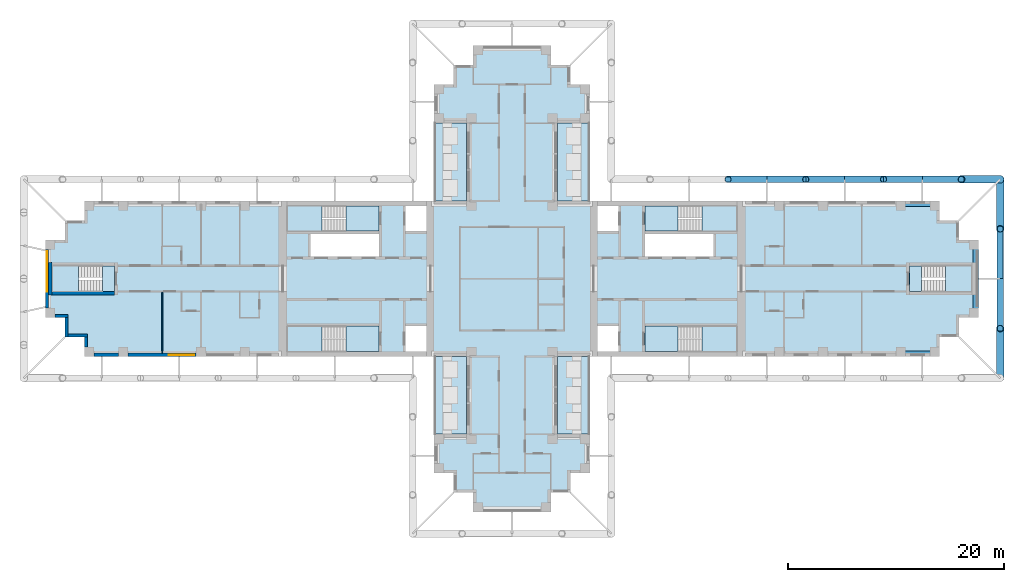
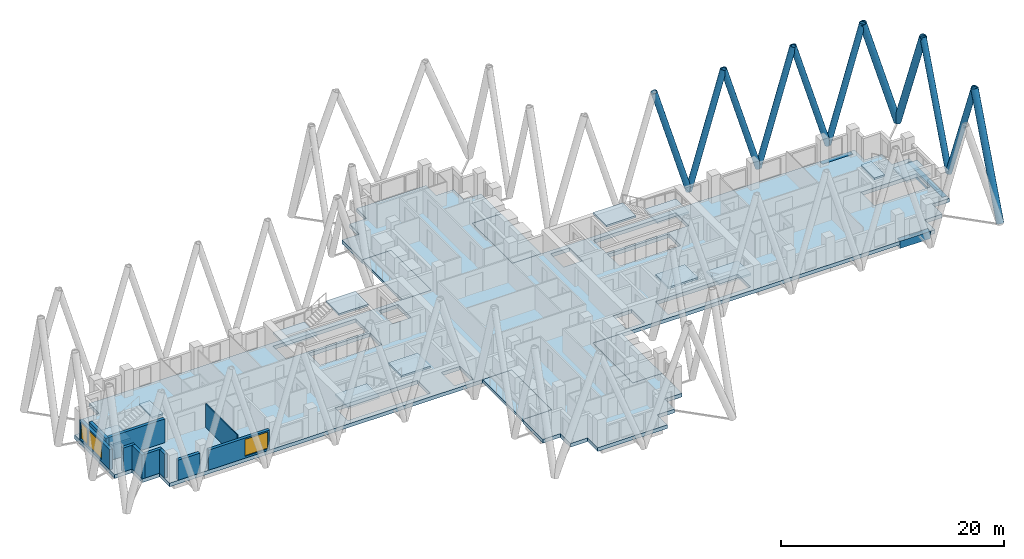
# One storey, part 2 of 12: 17 slabs, 11 members, 10 walls, 3 beams, 3 windows, 3 openings, 6 elements without a shape of their own.
"""IFC4 building model written with IfcOpenShell, lengths in metres."""

from ifc_helpers import new_model, si_unit, direction, frame, frame_2d, origin, origin_2d, place, context, subcontext, project, spatial, polyline, rectangle, hollow_circle, outline, extrude, material, layer, layer_set, material_profile, profile_set, type_object, element, fill, aggregate, save


model = new_model("IFC4")

# Units and contexts
model_context = context("Model", 3, precision=1e-05, world=origin(), true_north=direction((0.0, 1.0)))
body_context = subcontext(model_context, "Body", "Model", "MODEL_VIEW")
ifc_project = project(units=[si_unit("LENGTHUNIT", "METRE"), si_unit("AREAUNIT", "SQUARE_METRE"), si_unit("VOLUMEUNIT", "CUBIC_METRE"), si_unit("PLANEANGLEUNIT", "RADIAN"), si_unit("MASSUNIT", "GRAM", prefix="KILO")], contexts=[model_context])

# Site, building, storey
site_placement = place(None, origin())
site = spatial("IfcSite", under=ifc_project, at=site_placement, CompositionType="ELEMENT")
building_placement = place(site_placement, origin())
building = spatial("IfcBuilding", under=site, at=building_placement, Name="Fustian Cross Tower", CompositionType="ELEMENT")
storey_placement = place(building_placement, frame((0.0, 0.0, 129.300048828125)))
storey = spatial("IfcBuildingStorey", under=building, at=storey_placement, Name="L40", CompositionType="ELEMENT", Elevation=129.300048828125)

# Members
ifc_material_1 = material(Name="Steel S355", Category="steel")
ifc_material_profile_1 = material_profile(ifc_material_1, hollow_circle(Radius=0.3046875, WallThickness=0.02490234375, at=origin_2d()), Name="CHS 610x25")
ifc_profile_set_1 = profile_set([ifc_material_profile_1], Name="Steel S355")
member_type_1 = type_object("IfcMemberType", Name="DIAGRID DIAGONAL CHS 610x25", PredefinedType="BRACE", material=ifc_profile_set_1)
for number, where, z_axis, x_axis, name in (
    (1, (45.199951171875, 0.0, 0.0), (0.0, -0.3579426369, 0.933743577589), (1.0, 0.0, 0.0), "Diagrid diagonal E-end 02"),
    (2, (45.199951171875, 0.0, 0.0), (0.0, 0.3579426369, 0.933743577589), (-1.0, 0.0, 0.0), "Diagrid diagonal E-end 03"),
):
    element("IfcMember", number, at=place(storey_placement, frame(where, z_axis=z_axis, x_axis=x_axis)), inside=storey, type_object=member_type_1, Name=name, PredefinedType="BRACE", context=body_context, shape_type="SweptSolid", body=[
        extrude(hollow_circle(Radius=0.3046875, WallThickness=0.02490234375, at=origin_2d()), origin(), (0.0, 0.0, 1.0), 12.8515625),
    ])
for number, where, z_axis, x_axis, name in (
    (3, (38.0, 9.199951171875, 0.0), (0.287355036744, 0.0, 0.957824139839), (0.0, 1.0, 0.0), "Diagrid diagonal E-N 02"),
    (4, (38.0, 9.199951171875, 0.0), (-0.287355036744, 0.0, 0.957824139839), (0.0, -1.0, 0.0), "Diagrid diagonal E-N 03"),
    (5, (30.800048828125, 9.199951171875, 0.0), (0.287337158709, 0.0, 0.957829503213), (0.0, 1.0, 0.0), "Diagrid diagonal E-N 04"),
    (6, (30.800048828125, 9.199951171875, 0.0), (-0.287355036744, 0.0, 0.957824139839), (0.0, -1.0, 0.0), "Diagrid diagonal E-N 05"),
    (7, (23.60009765625, 9.199951171875, 0.0), (0.287337158709, 0.0, 0.957829503213), (0.0, 1.0, 0.0), "Diagrid diagonal E-N 06"),
    (8, (23.60009765625, 9.199951171875, 0.0), (-0.287355036744, 0.0, 0.957824139839), (0.0, -1.0, 0.0), "Diagrid diagonal E-N 07"),
):
    element("IfcMember", number, at=place(storey_placement, frame(where, z_axis=z_axis, x_axis=x_axis)), inside=storey, type_object=member_type_1, Name=name, PredefinedType="BRACE", context=body_context, shape_type="SweptSolid", body=[
        extrude(hollow_circle(Radius=0.3046875, WallThickness=0.02490234375, at=origin_2d()), origin(), (0.0, 0.0, 1.0), 12.5283203125),
    ])
ifc_material_2 = material(Name="Steel S355", Category="steel")
ifc_material_profile_2 = material_profile(ifc_material_2, hollow_circle(Radius=0.355712890625, WallThickness=0.031982421875, at=origin_2d()), Name="CHS 711x32")
ifc_profile_set_2 = profile_set([ifc_material_profile_2], Name="Steel S355")
member_type_2 = type_object("IfcMemberType", Name="DIAGRID DIAGONAL CHS 711x32", PredefinedType="BRACE", material=ifc_profile_set_2)
for number, where, z_axis, x_axis, name in (
    (9, (45.199951171875, -9.199951171875, 0.0), (0.0, 0.357926073629, 0.933749926809), (-1.0, 0.0, 0.0), "Diagrid diagonal E-end 01"),
    (10, (45.199951171875, 9.199951171875, 0.0), (0.0, -0.357926073629, 0.933749926809), (1.0, 0.0, 0.0), "Diagrid diagonal E-end 04"),
):
    element("IfcMember", number, at=place(storey_placement, frame(where, z_axis=z_axis, x_axis=x_axis)), inside=storey, type_object=member_type_2, Name=name, PredefinedType="BRACE", context=body_context, shape_type="SweptSolid", body=[
        extrude(hollow_circle(Radius=0.355712890625, WallThickness=0.031982421875, at=origin_2d()), origin(), (0.0, 0.0, 1.0), 12.851318359375),
    ])
member_placement = place(storey_placement, frame((45.199951171875, 9.199951171875, 0.0), z_axis=(-0.287337158709, 0.0, 0.957829503213), x_axis=(0.0, -1.0, 0.0)))
element("IfcMember", 11, at=member_placement, inside=storey, type_object=member_type_2, Name="Diagrid diagonal E-N 01", PredefinedType="BRACE", context=body_context, shape_type="SweptSolid", body=[
    extrude(hollow_circle(Radius=0.355712890625, WallThickness=0.031982421875, at=origin_2d()), origin(), (0.0, 0.0, 1.0), 12.5283203125),
])

# Beams
ifc_material_3 = material(Name="Concrete C50/60", Category="concrete")
ifc_material_profile_3 = material_profile(ifc_material_3, rectangle(XDim=0.5, YDim=0.800048828125, at=origin_2d()), Name="RC 500x800")
ifc_profile_set_3 = profile_set([ifc_material_profile_3], Name="Concrete C50/60")
beam_type = type_object("IfcBeamType", Name="EDGE BEAM RC 500x800 C50/60", PredefinedType="SPANDREL", material=ifc_profile_set_3)
beam_1_placement = place(storey_placement, frame((36.0, -6.949951171875, -0.400146484375), z_axis=(1.0, 0.0, 0.0), x_axis=(0.0, 1.0, 0.0)))
element("IfcBeam", 12, at=beam_1_placement, inside=storey, type_object=beam_type, Name="EDGE BEAM L40-04", PredefinedType="SPANDREL", context=body_context, shape_type="SweptSolid", body=[
    extrude(rectangle(XDim=0.5, YDim=0.800048828125, at=origin_2d()), origin(), (0.0, 0.0, 1.0), 3.14990234375),
])
beam_2_placement = place(storey_placement, frame((42.949951171875, -3.14990234375, -0.400146484375), z_axis=(0.0, 1.0, 0.0), x_axis=(-1.0, 0.0, 0.0)))
element("IfcBeam", 13, at=beam_2_placement, inside=storey, type_object=beam_type, Name="EDGE BEAM L40-05", PredefinedType="SPANDREL", context=body_context, shape_type="SweptSolid", body=[
    extrude(rectangle(XDim=0.5, YDim=0.800048828125, at=origin_2d()), origin(), (0.0, 0.0, 1.0), 6.2998046875),
])
beam_3_placement = place(storey_placement, frame((39.14990234375, 6.949951171875, -0.400146484375), z_axis=(-1.0, 0.0, 0.0), x_axis=(0.0, -1.0, 0.0)))
element("IfcBeam", 14, at=beam_3_placement, inside=storey, type_object=beam_type, Name="EDGE BEAM L40-06", PredefinedType="SPANDREL", context=body_context, shape_type="SweptSolid", body=[
    extrude(rectangle(XDim=0.5, YDim=0.800048828125, at=origin_2d()), origin(), (0.0, 0.0, 1.0), 3.14990234375),
])

# Slabs
ifc_material_4 = material(Name="Concrete C40/50", Category="concrete")
ifc_layer_1 = layer(ifc_material_4, 0.300048828125)
ifc_layer_set_1 = layer_set([ifc_layer_1], Name="Concrete C40/50")
slab_type_1 = type_object("IfcSlabType", Name="BS1 BALCONY SLAB 300", PredefinedType="FLOOR", material=ifc_layer_set_1)
slab_1_placement = place(storey_placement, frame((0.0, 0.0, -0.300048828125)))
element("IfcSlab", 15, at=slab_1_placement, inside=storey, type_object=slab_type_1, Name="Balcony slab", PredefinedType="FLOOR", context=body_context, shape_type="SweptSolid", body=[
    extrude(outline(polyline([(4.199951171875, 7.199951171875), (7.199951171875, 7.199951171875), (7.199951171875, 14.39990234375), (4.199951171875, 14.39990234375), (4.199951171875, 7.199951171875)])), origin(), (0.0, 0.0, 1.0), 0.300048828125),
])
slab_2_placement = place(storey_placement, frame((0.0, 0.0, -0.300048828125)))
element("IfcSlab", 16, at=slab_2_placement, inside=storey, type_object=slab_type_1, Name="Balcony slab", PredefinedType="FLOOR", context=body_context, shape_type="SweptSolid", body=[
    extrude(outline(polyline([(-7.199951171875, 7.199951171875), (-4.199951171875, 7.199951171875), (-4.199951171875, 14.39990234375), (-7.199951171875, 14.39990234375), (-7.199951171875, 7.199951171875)])), origin(), (0.0, 0.0, 1.0), 0.300048828125),
])
slab_3_placement = place(storey_placement, frame((0.0, 0.0, -0.300048828125)))
element("IfcSlab", 17, at=slab_3_placement, inside=storey, type_object=slab_type_1, Name="Balcony slab", PredefinedType="FLOOR", context=body_context, shape_type="SweptSolid", body=[
    extrude(outline(polyline([(4.199951171875, -14.39990234375), (7.199951171875, -14.39990234375), (7.199951171875, -7.199951171875), (4.199951171875, -7.199951171875), (4.199951171875, -14.39990234375)])), origin(), (0.0, 0.0, 1.0), 0.300048828125),
])
slab_4_placement = place(storey_placement, frame((0.0, 0.0, -0.300048828125)))
element("IfcSlab", 18, at=slab_4_placement, inside=storey, type_object=slab_type_1, Name="Balcony slab", PredefinedType="FLOOR", context=body_context, shape_type="SweptSolid", body=[
    extrude(outline(polyline([(-7.199951171875, -14.39990234375), (-4.199951171875, -14.39990234375), (-4.199951171875, -7.199951171875), (-7.199951171875, -7.199951171875), (-7.199951171875, -14.39990234375)])), origin(), (0.0, 0.0, 1.0), 0.300048828125),
])
ifc_material_5 = material(Name="Concrete C40/50", Category="concrete")
ifc_layer_2 = layer(ifc_material_5, 0.39990234375)
ifc_layer_set_2 = layer_set([ifc_layer_2], Name="Concrete C40/50")
slab_type_2 = type_object("IfcSlabType", Name="FLAT SLAB 400", PredefinedType="FLOOR", material=ifc_layer_set_2)
slab_5_placement = place(storey_placement, frame((0.0, 0.0, -0.400146484375)))
element("IfcSlab", 19, at=slab_5_placement, inside=storey, type_object=slab_type_2, Name="FLOOR SLAB L40-1", PredefinedType="FLOOR", context=body_context, shape_type="SweptSolid", body=[
    extrude(outline(polyline([(-5.39990234375, -18.0), (-7.199951171875, -18.0), (-7.199951171875, -14.39990234375), (-4.199951171875, -14.39990234375), (-4.199951171875, -7.199951171875), (-39.60009765625, -7.199951171875), (-39.60009765625, -5.39990234375), (-41.39990234375, -5.39990234375), (-41.39990234375, -3.60009765625), (-43.199951171875, -3.60009765625), (-43.199951171875, 3.60009765625), (-41.39990234375, 3.60009765625), (-41.39990234375, 5.39990234375), (-39.60009765625, 5.39990234375), (-39.60009765625, 7.199951171875), (-4.199951171875, 7.199951171875), (-4.199951171875, 14.39990234375), (-7.199951171875, 14.39990234375), (-7.199951171875, 18.0), (-5.39990234375, 18.0), (-5.39990234375, 19.800048828125), (-3.60009765625, 19.800048828125), (-3.60009765625, 21.60009765625), (3.60009765625, 21.60009765625), (3.60009765625, 19.800048828125), (5.39990234375, 19.800048828125), (5.39990234375, 18.0), (7.199951171875, 18.0), (7.199951171875, 14.39990234375), (4.199951171875, 14.39990234375), (4.199951171875, 7.199951171875), (39.60009765625, 7.199951171875), (39.60009765625, 5.39990234375), (41.39990234375, 5.39990234375), (41.39990234375, 3.60009765625), (43.199951171875, 3.60009765625), (43.199951171875, -3.60009765625), (41.39990234375, -3.60009765625), (41.39990234375, -5.39990234375), (39.60009765625, -5.39990234375), (39.60009765625, -7.199951171875), (4.199951171875, -7.199951171875), (4.199951171875, -14.39990234375), (7.199951171875, -14.39990234375), (7.199951171875, -18.0), (5.39990234375, -18.0), (5.39990234375, -19.800048828125), (3.60009765625, -19.800048828125), (3.60009765625, -21.60009765625), (-3.60009765625, -21.60009765625), (-3.60009765625, -19.800048828125), (-5.39990234375, -19.800048828125), (-5.39990234375, -18.0)]), holes=[polyline([(9.85009765625, 4.39990234375), (9.85009765625, 6.75), (7.89990234375, 6.75), (7.89990234375, 4.39990234375), (9.85009765625, 4.39990234375)]), polyline([(7.89990234375, -6.75), (9.85009765625, -6.75), (9.85009765625, -4.39990234375), (7.89990234375, -4.39990234375), (7.89990234375, -6.75)]), polyline([(-9.85009765625, 6.75), (-9.85009765625, 4.39990234375), (-7.89990234375, 4.39990234375), (-7.89990234375, 6.75), (-9.85009765625, 6.75)]), polyline([(-7.89990234375, -4.39990234375), (-9.85009765625, -4.39990234375), (-9.85009765625, -6.75), (-7.89990234375, -6.75), (-7.89990234375, -4.39990234375)]), polyline([(18.64990234375, 2.050048828125), (18.64990234375, 4.14990234375), (12.300048828125, 4.14990234375), (12.300048828125, 2.050048828125), (18.64990234375, 2.050048828125)]), polyline([(-18.64990234375, 2.050048828125), (-12.300048828125, 2.050048828125), (-12.300048828125, 4.14990234375), (-18.64990234375, 4.14990234375), (-18.64990234375, 2.050048828125)]), polyline([(12.300048828125, 6.699951171875), (12.300048828125, 4.39990234375), (20.85009765625, 4.39990234375), (20.85009765625, 6.699951171875), (12.300048828125, 6.699951171875)]), polyline([(20.85009765625, -4.39990234375), (12.300048828125, -4.39990234375), (12.300048828125, -6.699951171875), (20.85009765625, -6.699951171875), (20.85009765625, -4.39990234375)]), polyline([(-12.300048828125, 4.39990234375), (-12.300048828125, 6.699951171875), (-20.85009765625, 6.699951171875), (-20.85009765625, 4.39990234375), (-12.300048828125, 4.39990234375)]), polyline([(-20.85009765625, -6.699951171875), (-12.300048828125, -6.699951171875), (-12.300048828125, -4.39990234375), (-20.85009765625, -4.39990234375), (-20.85009765625, -6.699951171875)]), polyline([(36.800048828125, 1.199951171875), (36.800048828125, -1.199951171875), (42.60009765625, -1.199951171875), (42.60009765625, 1.199951171875), (36.800048828125, 1.199951171875)]), polyline([(-36.800048828125, 1.199951171875), (-42.60009765625, 1.199951171875), (-42.60009765625, -1.199951171875), (-36.800048828125, -1.199951171875), (-36.800048828125, 1.199951171875)])]), origin(), (0.0, 0.0, 1.0), 0.400146484375),
])

# Stair, slabs
ifc_material_6 = material(Name="Concrete C50/60", Category="concrete")
stair_type_1 = type_object("IfcStairType", Name="STAIR 1150 HALF TURN", PredefinedType="HALF_TURN_STAIR", material=ifc_material_6)
stair_1_placement = place(storey_placement, origin())
stair_1 = element("IfcStair", 20, at=stair_1_placement, inside=storey, type_object=stair_type_1, Name="Stair ST1", PredefinedType="HALF_TURN_STAIR")
ifc_material_7 = material(Name="Concrete C50/60", Category="concrete")
ifc_layer_3 = layer(ifc_material_7, 0.199951171875)
ifc_layer_set_3 = layer_set([ifc_layer_3], Name="Concrete C50/60")
slab_type_3 = type_object("IfcSlabType", Name="STAIR LANDING", PredefinedType="LANDING", material=ifc_layer_set_3)
slab_6_placement = place(storey_placement, frame((0.0, 0.0, 1.300048828125)))
slab_6 = element("IfcSlab", 21, at=slab_6_placement, type_object=slab_type_3, Name="ST1 landing 1", PredefinedType="LANDING", context=body_context, shape_type="SweptSolid", body=[
    extrude(outline(polyline([(17.590087890625, 4.39990234375), (20.85009765625, 4.39990234375), (20.85009765625, 6.75), (17.590087890625, 6.75), (17.590087890625, 4.39990234375)])), origin(), (0.0, 0.0, 1.0), 0.199951171875),
])
slab_7_placement = place(storey_placement, frame((0.0, 0.0, 2.800048828125)))
slab_7 = element("IfcSlab", 22, at=slab_7_placement, type_object=slab_type_3, Name="ST1 landing 2", PredefinedType="LANDING", context=body_context, shape_type="SweptSolid", body=[
    extrude(outline(polyline([(12.300048828125, 4.39990234375), (15.35009765625, 4.39990234375), (15.35009765625, 6.75), (12.300048828125, 6.75), (12.300048828125, 4.39990234375)])), origin(), (0.0, 0.0, 1.0), 0.199951171875),
])
aggregate(stair_1, [slab_6, slab_7])

stair_2_placement = place(storey_placement, origin())
stair_2 = element("IfcStair", 23, at=stair_2_placement, inside=storey, type_object=stair_type_1, Name="Stair ST2", PredefinedType="HALF_TURN_STAIR")
slab_8_placement = place(storey_placement, frame((0.0, 0.0, 1.300048828125)))
slab_8 = element("IfcSlab", 24, at=slab_8_placement, type_object=slab_type_3, Name="ST2 landing 1", PredefinedType="LANDING", context=body_context, shape_type="SweptSolid", body=[
    extrude(outline(polyline([(17.590087890625, -4.39990234375), (20.85009765625, -4.39990234375), (20.85009765625, -6.75), (17.590087890625, -6.75), (17.590087890625, -4.39990234375)])), origin(), (0.0, 0.0, 1.0), 0.199951171875),
])
slab_9_placement = place(storey_placement, frame((0.0, 0.0, 2.800048828125)))
slab_9 = element("IfcSlab", 25, at=slab_9_placement, type_object=slab_type_3, Name="ST2 landing 2", PredefinedType="LANDING", context=body_context, shape_type="SweptSolid", body=[
    extrude(outline(polyline([(12.300048828125, -4.39990234375), (15.35009765625, -4.39990234375), (15.35009765625, -6.75), (12.300048828125, -6.75), (12.300048828125, -4.39990234375)])), origin(), (0.0, 0.0, 1.0), 0.199951171875),
])
aggregate(stair_2, [slab_8, slab_9])

stair_3_placement = place(storey_placement, origin())
stair_3 = element("IfcStair", 26, at=stair_3_placement, inside=storey, type_object=stair_type_1, Name="Stair ST3", PredefinedType="HALF_TURN_STAIR")
slab_10_placement = place(storey_placement, frame((0.0, 0.0, 1.300048828125)))
slab_10 = element("IfcSlab", 27, at=slab_10_placement, type_object=slab_type_3, Name="ST3 landing 1", PredefinedType="LANDING", context=body_context, shape_type="SweptSolid", body=[
    extrude(outline(polyline([(-17.590087890625, 4.39990234375), (-20.85009765625, 4.39990234375), (-20.85009765625, 6.75), (-17.590087890625, 6.75), (-17.590087890625, 4.39990234375)])), origin(), (0.0, 0.0, 1.0), 0.199951171875),
])
slab_11_placement = place(storey_placement, frame((0.0, 0.0, 2.800048828125)))
slab_11 = element("IfcSlab", 28, at=slab_11_placement, type_object=slab_type_3, Name="ST3 landing 2", PredefinedType="LANDING", context=body_context, shape_type="SweptSolid", body=[
    extrude(outline(polyline([(-12.300048828125, 4.39990234375), (-15.35009765625, 4.39990234375), (-15.35009765625, 6.75), (-12.300048828125, 6.75), (-12.300048828125, 4.39990234375)])), origin(), (0.0, 0.0, 1.0), 0.199951171875),
])
aggregate(stair_3, [slab_10, slab_11])

stair_4_placement = place(storey_placement, origin())
stair_4 = element("IfcStair", 29, at=stair_4_placement, inside=storey, type_object=stair_type_1, Name="Stair ST4", PredefinedType="HALF_TURN_STAIR")
slab_12_placement = place(storey_placement, frame((0.0, 0.0, 1.300048828125)))
slab_12 = element("IfcSlab", 30, at=slab_12_placement, type_object=slab_type_3, Name="ST4 landing 1", PredefinedType="LANDING", context=body_context, shape_type="SweptSolid", body=[
    extrude(outline(polyline([(-17.590087890625, -4.39990234375), (-20.85009765625, -4.39990234375), (-20.85009765625, -6.75), (-17.590087890625, -6.75), (-17.590087890625, -4.39990234375)])), origin(), (0.0, 0.0, 1.0), 0.199951171875),
])
slab_13_placement = place(storey_placement, frame((0.0, 0.0, 2.800048828125)))
slab_13 = element("IfcSlab", 31, at=slab_13_placement, type_object=slab_type_3, Name="ST4 landing 2", PredefinedType="LANDING", context=body_context, shape_type="SweptSolid", body=[
    extrude(outline(polyline([(-12.300048828125, -4.39990234375), (-15.35009765625, -4.39990234375), (-15.35009765625, -6.75), (-12.300048828125, -6.75), (-12.300048828125, -4.39990234375)])), origin(), (0.0, 0.0, 1.0), 0.199951171875),
])
aggregate(stair_4, [slab_12, slab_13])

ifc_material_8 = material(Name="Concrete C50/60", Category="concrete")
stair_type_2 = type_object("IfcStairType", Name="STAIR 1100 HALF TURN", PredefinedType="HALF_TURN_STAIR", material=ifc_material_8)
stair_5_placement = place(storey_placement, origin())
stair_5 = element("IfcStair", 32, at=stair_5_placement, inside=storey, type_object=stair_type_2, Name="Stair ST8", PredefinedType="HALF_TURN_STAIR")
slab_14_placement = place(storey_placement, frame((0.0, 0.0, 1.300048828125)))
slab_14 = element("IfcSlab", 33, at=slab_14_placement, type_object=slab_type_3, Name="ST8 landing 1", PredefinedType="LANDING", context=body_context, shape_type="SweptSolid", body=[
    extrude(outline(polyline([(40.139892578125, -1.199951171875), (42.60009765625, -1.199951171875), (42.60009765625, 1.199951171875), (40.139892578125, 1.199951171875), (40.139892578125, -1.199951171875)])), origin(), (0.0, 0.0, 1.0), 0.199951171875),
])
slab_15_placement = place(storey_placement, frame((0.0, 0.0, 2.800048828125)))
slab_15 = element("IfcSlab", 34, at=slab_15_placement, type_object=slab_type_3, Name="ST8 landing 2", PredefinedType="LANDING", context=body_context, shape_type="SweptSolid", body=[
    extrude(outline(polyline([(36.800048828125, -1.199951171875), (37.89990234375, -1.199951171875), (37.89990234375, 1.199951171875), (36.800048828125, 1.199951171875), (36.800048828125, -1.199951171875)])), origin(), (0.0, 0.0, 1.0), 0.199951171875),
])
aggregate(stair_5, [slab_14, slab_15])

stair_6_placement = place(storey_placement, origin())
stair_6 = element("IfcStair", 35, at=stair_6_placement, inside=storey, type_object=stair_type_2, Name="Stair ST9", PredefinedType="HALF_TURN_STAIR")
slab_16_placement = place(storey_placement, frame((0.0, 0.0, 1.300048828125)))
slab_16 = element("IfcSlab", 36, at=slab_16_placement, type_object=slab_type_3, Name="ST9 landing 1", PredefinedType="LANDING", context=body_context, shape_type="SweptSolid", body=[
    extrude(outline(polyline([(-40.139892578125, -1.199951171875), (-42.60009765625, -1.199951171875), (-42.60009765625, 1.199951171875), (-40.139892578125, 1.199951171875), (-40.139892578125, -1.199951171875)])), origin(), (0.0, 0.0, 1.0), 0.199951171875),
])
slab_17_placement = place(storey_placement, frame((0.0, 0.0, 2.800048828125)))
slab_17 = element("IfcSlab", 37, at=slab_17_placement, type_object=slab_type_3, Name="ST9 landing 2", PredefinedType="LANDING", context=body_context, shape_type="SweptSolid", body=[
    extrude(outline(polyline([(-36.800048828125, -1.199951171875), (-37.89990234375, -1.199951171875), (-37.89990234375, 1.199951171875), (-36.800048828125, 1.199951171875), (-36.800048828125, -1.199951171875)])), origin(), (0.0, 0.0, 1.0), 0.199951171875),
])
aggregate(stair_6, [slab_16, slab_17])

# Walls
ifc_material_9 = material(Name="Plasterboard on steel stud", Category="steel")
ifc_layer_4 = layer(ifc_material_9, 0.10009765625)
ifc_layer_set_4 = layer_set([ifc_layer_4], Name="Plasterboard on steel stud")
wall_type_1 = type_object("IfcWallType", Name="PARTITION 100 STUD", PredefinedType="PARTITIONING", material=ifc_layer_set_4)
wall_1_placement = place(storey_placement, frame((-32.39990234375, -6.89990234375, 0.0), z_axis=(0.0, 0.0, 1.0), x_axis=(0.0, 1.0, 0.0)))
element("IfcWall", 38, at=wall_1_placement, inside=storey, type_object=wall_type_1, Name="Partition 3", PredefinedType="PARTITIONING", context=body_context, shape_type="SweptSolid", body=[
    extrude(rectangle(XDim=5.625, YDim=0.10009765625, at=frame_2d((2.8125, 0.0))), origin(), (0.0, 0.0, 1.0), 2.599853515625),
])
ifc_material_10 = material(Name="Concrete C50/60", Category="concrete")
ifc_layer_5 = layer(ifc_material_10, 0.300048828125)
ifc_layer_set_5 = layer_set([ifc_layer_5], Name="Concrete C50/60")
wall_type_2 = type_object("IfcWallType", Name="STAIR ENCLOSURE WALL 300 C50/60", PredefinedType="SHEAR", material=ifc_layer_set_5)
wall_2_placement = place(storey_placement, frame((-42.75, -1.5, 0.0), z_axis=(0.0, 0.0, 1.0), x_axis=(0.0, 1.0, 0.0)))
element("IfcWall", 39, at=wall_2_placement, inside=storey, type_object=wall_type_2, Name="Stair enclosure wall", PredefinedType="SHEAR", context=body_context, shape_type="SweptSolid", body=[
    extrude(rectangle(XDim=3.0, YDim=0.300048828125, at=frame_2d((1.5, 0.0))), origin(), (0.0, 0.0, 1.0), 2.599853515625),
])
wall_3_placement = place(storey_placement, frame((-36.800048828125, -1.35009765625, 0.0), z_axis=(0.0, 0.0, 1.0), x_axis=(-1.0, 0.0, 0.0)))
element("IfcWall", 40, at=wall_3_placement, inside=storey, type_object=wall_type_2, Name="Stair enclosure wall", PredefinedType="SHEAR", context=body_context, shape_type="SweptSolid", body=[
    extrude(rectangle(XDim=5.800048828125, YDim=0.300048828125, at=frame_2d((2.89990234375, 0.0))), origin(), (0.0, 0.0, 1.0), 2.599853515625),
])

# Wall, openings, windows
ifc_material_11 = material(Name="Dark aluminium cladding on insulated backing wall", Category="aluminium")
ifc_layer_6 = layer(ifc_material_11, 0.300048828125)
ifc_layer_set_6 = layer_set([ifc_layer_6], Name="Dark aluminium cladding on insulated backing wall")
wall_type_3 = type_object("IfcWallType", Name="XW1 EXTERNAL WALL 300", PredefinedType="SOLIDWALL", material=ifc_layer_set_6)
wall_4_placement = place(storey_placement, frame((-43.050048828125, 2.699951171875, 0.0), z_axis=(0.0, 0.0, 1.0), x_axis=(0.0, -1.0, 0.0)))
wall_4 = element("IfcWall", 41, at=wall_4_placement, inside=storey, type_object=wall_type_3, Name="External wall", PredefinedType="SOLIDWALL", context=body_context, shape_type="SweptSolid", body=[
    extrude(rectangle(XDim=5.39990234375, YDim=0.300048828125, at=frame_2d((2.699951171875, 0.0))), origin(), (0.0, 0.0, 1.0), 2.199951171875),
])
opening_1_placement = place(wall_4_placement, frame((1.5, 0.0, 0.199951171875)))
opening_1 = element("IfcOpeningElement", 42, at=opening_1_placement, cuts=wall_4, Name="Opening WN1", PredefinedType="OPENING", context=body_context, shape_type="SweptSolid", body=[
    extrude(rectangle(XDim=2.39990234375, YDim=1.85009765625, at=frame_2d((1.199951171875, 0.925048828125))), frame((0.0, 0.159912109375, 0.0), z_axis=(0.0, -1.0, 0.0), x_axis=(1.0, 0.0, 0.0)), (0.0, 0.0, 1.0), 0.320068359375),
])
opening_2_placement = place(wall_4_placement, frame((0.14990234375, 0.0, 0.199951171875)))
opening_2 = element("IfcOpeningElement", 43, at=opening_2_placement, cuts=wall_4, Name="Opening WN3", PredefinedType="OPENING", context=body_context, shape_type="SweptSolid", body=[
    extrude(rectangle(XDim=1.199951171875, YDim=1.85009765625, at=frame_2d((0.60009765625, 0.925048828125))), frame((0.0, 0.159912109375, 0.0), z_axis=(0.0, -1.0, 0.0), x_axis=(1.0, 0.0, 0.0)), (0.0, 0.0, 1.0), 0.320068359375),
])
ifc_material_12 = material(Name="Dark anodised aluminium and double glazing", Category="aluminium")
window_type_1 = type_object("IfcWindowType", Name="WN1 WINDOW 2400X1850", PartitioningType="SINGLE_PANEL", PredefinedType="WINDOW", material=ifc_material_12)
window_1_placement = place(opening_1_placement, origin())
window_1 = element("IfcWindow", 44, at=window_1_placement, inside=storey, type_object=window_type_1, Name="Window", OverallHeight=1.85009765625, OverallWidth=2.39990234375, PartitioningType="SINGLE_PANEL", PredefinedType="WINDOW", context=body_context, shape_type="SweptSolid", body=[
    extrude(rectangle(XDim=2.39990234375, YDim=1.85009765625, at=frame_2d((1.199951171875, 0.925048828125))), frame((0.0, 0.030029296875, 0.0), z_axis=(0.0, -1.0, 0.0), x_axis=(1.0, 0.0, 0.0)), (0.0, 0.0, 1.0), 0.06005859375),
])
fill(opening_1, window_1)
ifc_material_13 = material(Name="Dark anodised aluminium and double glazing", Category="aluminium")
window_type_2 = type_object("IfcWindowType", Name="WN3 WINDOW 1200X1850", PartitioningType="SINGLE_PANEL", PredefinedType="WINDOW", material=ifc_material_13)
window_2_placement = place(opening_2_placement, origin())
window_2 = element("IfcWindow", 45, at=window_2_placement, inside=storey, type_object=window_type_2, Name="Window", OverallHeight=1.85009765625, OverallWidth=1.199951171875, PartitioningType="SINGLE_PANEL", PredefinedType="WINDOW", context=body_context, shape_type="SweptSolid", body=[
    extrude(rectangle(XDim=1.199951171875, YDim=1.85009765625, at=frame_2d((0.60009765625, 0.925048828125))), frame((0.0, 0.030029296875, 0.0), z_axis=(0.0, -1.0, 0.0), x_axis=(1.0, 0.0, 0.0)), (0.0, 0.0, 1.0), 0.06005859375),
])
fill(opening_2, window_2)

# Walls
wall_5_placement = place(storey_placement, frame((-42.300048828125, -3.449951171875, 0.0), z_axis=(0.0, 0.0, 1.0), x_axis=(1.0, 0.0, 0.0)))
element("IfcWall", 46, at=wall_5_placement, inside=storey, type_object=wall_type_3, Name="External wall", PredefinedType="SOLIDWALL", context=body_context, shape_type="SweptSolid", body=[
    extrude(rectangle(XDim=1.199951171875, YDim=0.300048828125, at=frame_2d((0.60009765625, 0.0))), origin(), (0.0, 0.0, 1.0), 2.599853515625),
])
wall_6_placement = place(storey_placement, frame((-41.25, -3.60009765625, 0.0), z_axis=(0.0, 0.0, 1.0), x_axis=(0.0, -1.0, 0.0)))
element("IfcWall", 47, at=wall_6_placement, inside=storey, type_object=wall_type_3, Name="External wall", PredefinedType="SOLIDWALL", context=body_context, shape_type="SweptSolid", body=[
    extrude(rectangle(XDim=1.7998046875, YDim=0.300048828125, at=frame_2d((0.89990234375, 0.0))), origin(), (0.0, 0.0, 1.0), 2.599853515625),
])
wall_7_placement = place(storey_placement, frame((-41.10009765625, -5.25, 0.0), z_axis=(0.0, 0.0, 1.0), x_axis=(1.0, 0.0, 0.0)))
element("IfcWall", 48, at=wall_7_placement, inside=storey, type_object=wall_type_3, Name="External wall", PredefinedType="SOLIDWALL", context=body_context, shape_type="SweptSolid", body=[
    extrude(rectangle(XDim=1.800048828125, YDim=0.300048828125, at=frame_2d((0.89990234375, 0.0))), origin(), (0.0, 0.0, 1.0), 2.599853515625),
])
wall_8_placement = place(storey_placement, frame((-39.449951171875, -5.39990234375, 0.0), z_axis=(0.0, 0.0, 1.0), x_axis=(0.0, -1.0, 0.0)))
element("IfcWall", 49, at=wall_8_placement, inside=storey, type_object=wall_type_3, Name="External wall", PredefinedType="SOLIDWALL", context=body_context, shape_type="SweptSolid", body=[
    extrude(rectangle(XDim=0.900146484375, YDim=0.300048828125, at=frame_2d((0.4501953125, 0.0))), origin(), (0.0, 0.0, 1.0), 2.599853515625),
])
wall_9_placement = place(storey_placement, frame((-38.699951171875, -7.050048828125, 0.0), z_axis=(0.0, 0.0, 1.0), x_axis=(1.0, 0.0, 0.0)))
element("IfcWall", 50, at=wall_9_placement, inside=storey, type_object=wall_type_3, Name="External wall", PredefinedType="SOLIDWALL", context=body_context, shape_type="SweptSolid", body=[
    extrude(rectangle(XDim=2.25, YDim=0.300048828125, at=frame_2d((1.125, 0.0))), origin(), (0.0, 0.0, 1.0), 2.199951171875),
])

# Wall, opening, window
wall_10_placement = place(storey_placement, frame((-35.550048828125, -7.050048828125, 0.0), z_axis=(0.0, 0.0, 1.0), x_axis=(1.0, 0.0, 0.0)))
wall_10 = element("IfcWall", 51, at=wall_10_placement, inside=storey, type_object=wall_type_3, Name="External wall", PredefinedType="SOLIDWALL", context=body_context, shape_type="SweptSolid", body=[
    extrude(rectangle(XDim=6.300048828125, YDim=0.300048828125, at=frame_2d((3.14990234375, 0.0))), origin(), (0.0, 0.0, 1.0), 2.199951171875),
])
opening_3_placement = place(wall_10_placement, frame((3.75, 0.0, 0.199951171875)))
opening_3 = element("IfcOpeningElement", 52, at=opening_3_placement, cuts=wall_10, Name="Opening WN1", PredefinedType="OPENING", context=body_context, shape_type="SweptSolid", body=[
    extrude(rectangle(XDim=2.39990234375, YDim=1.85009765625, at=frame_2d((1.199951171875, 0.925048828125))), frame((0.0, 0.159912109375, 0.0), z_axis=(0.0, -1.0, 0.0), x_axis=(1.0, 0.0, 0.0)), (0.0, 0.0, 1.0), 0.320068359375),
])
window_3_placement = place(opening_3_placement, origin())
window_3 = element("IfcWindow", 53, at=window_3_placement, inside=storey, type_object=window_type_1, Name="Window", OverallHeight=1.85009765625, OverallWidth=2.39990234375, PartitioningType="SINGLE_PANEL", PredefinedType="WINDOW", context=body_context, shape_type="SweptSolid", body=[
    extrude(rectangle(XDim=2.39990234375, YDim=1.85009765625, at=frame_2d((1.199951171875, 0.925048828125))), frame((0.0, 0.030029296875, 0.0), z_axis=(0.0, -1.0, 0.0), x_axis=(1.0, 0.0, 0.0)), (0.0, 0.0, 1.0), 0.06005859375),
])
fill(opening_3, window_3)

save(model, "model.ifc")
